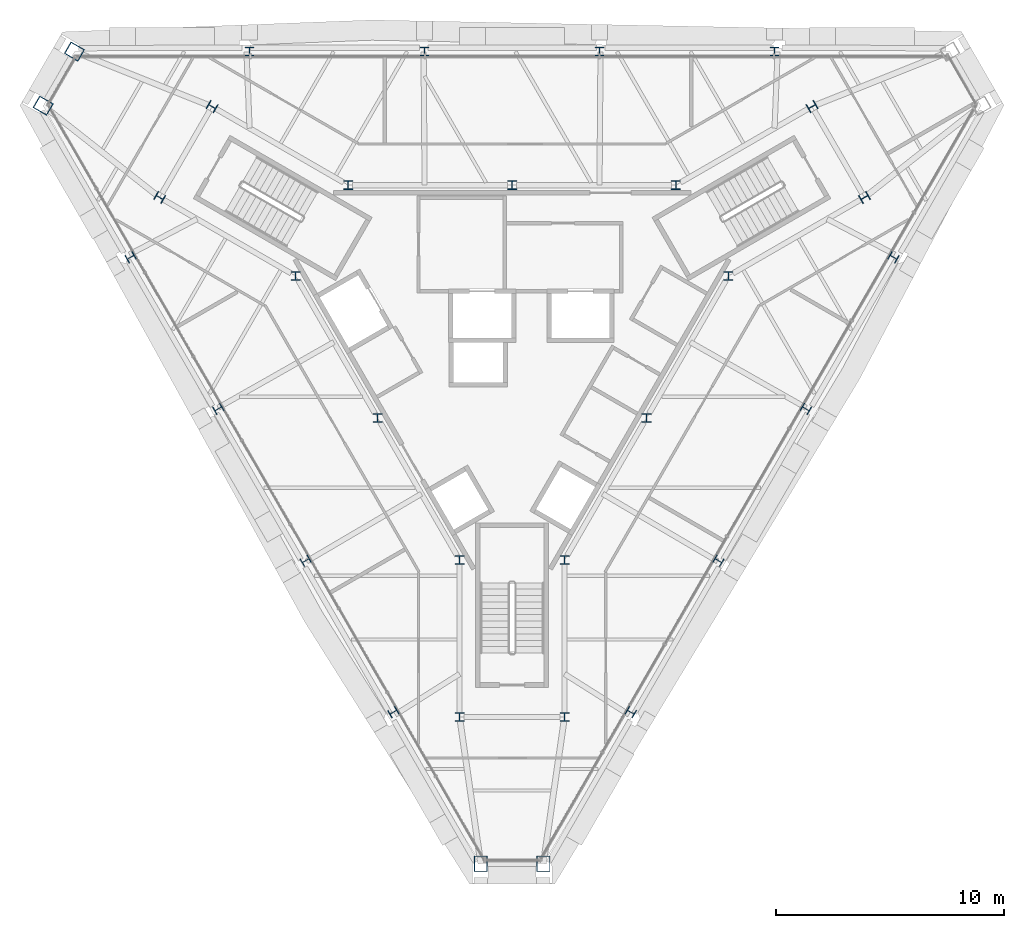
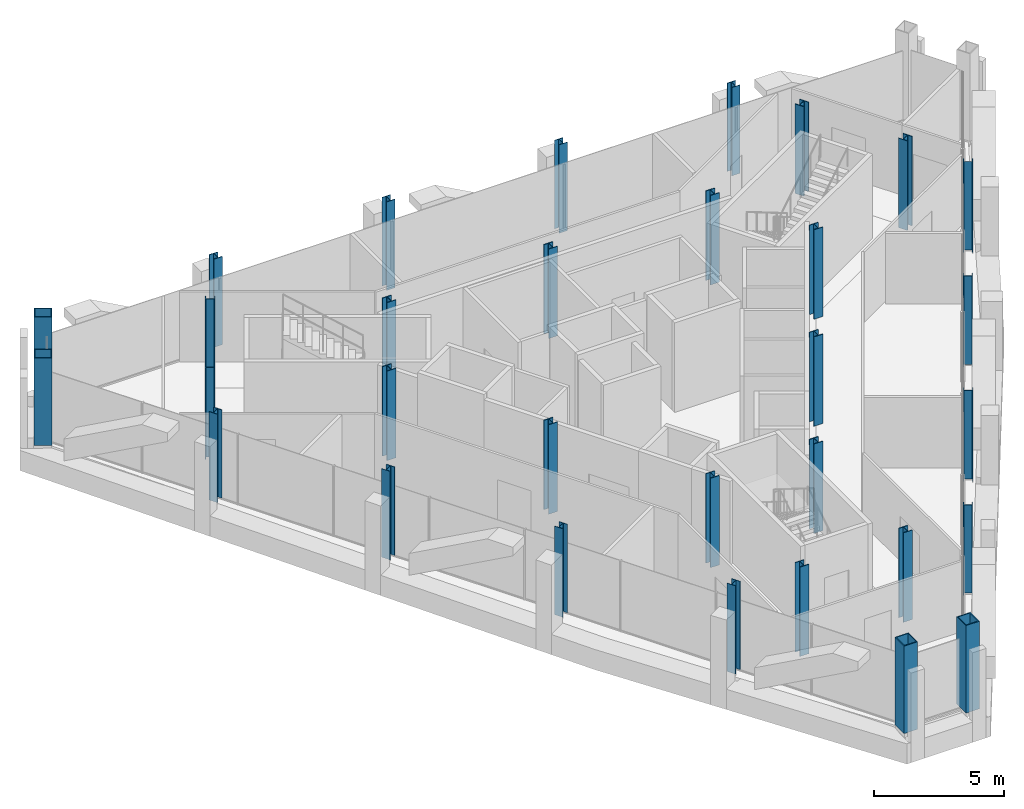
# One storey, part 1 of 13: 31 columns.
"""IFC4 building model written with IfcOpenShell, lengths in metres."""

from ifc_helpers import new_model, si_unit, direction, frame, origin, origin_2d, place, context, subcontext, project, spatial, hollow_rectangle, i_section, extrude, material, material_profile, profile_set, type_object, element, save


model = new_model("IFC4")

# Units and contexts
model_context = context("Model", 3, precision=1e-05, world=origin(), true_north=direction((0.0, 1.0)))
body_context = subcontext(model_context, "Body", "Model", "MODEL_VIEW")
ifc_project = project(units=[si_unit("LENGTHUNIT", "METRE"), si_unit("AREAUNIT", "SQUARE_METRE"), si_unit("VOLUMEUNIT", "CUBIC_METRE"), si_unit("PLANEANGLEUNIT", "RADIAN"), si_unit("MASSUNIT", "GRAM", prefix="KILO")], contexts=[model_context])

# Site, building, storey
site_placement = place(None, origin())
site = spatial("IfcSite", under=ifc_project, at=site_placement, CompositionType="ELEMENT")
building_placement = place(site_placement, origin())
building = spatial("IfcBuilding", under=site, at=building_placement, Name="Verrane Prism Tower", CompositionType="ELEMENT")
storey_placement = place(building_placement, frame((0.0, 0.0, 308.39990234375)))
storey = spatial("IfcBuildingStorey", under=building, at=storey_placement, Name="L78", CompositionType="ELEMENT", Elevation=308.39990234375)

# Columns
ifc_material_1 = material(Name="Steel A992", Category="steel")
ifc_material_profile_1 = material_profile(ifc_material_1, i_section(OverallWidth=0.398681640625, OverallDepth=0.385986328125, WebThickness=0.02099609375, FlangeThickness=0.033203125, FilletRadius=0.01513671875, at=origin_2d()), Name="W14x176")
ifc_profile_set_1 = profile_set([ifc_material_profile_1], Name="Steel A992")
column_type_1 = type_object("IfcColumnType", Name="Core corner column W14x176", PredefinedType="COLUMN", material=ifc_profile_set_1)
for number, where, z_axis, x_axis, name in (
    (1, (15.43994140625, 6.260009765625, 0.0), (0.0, 0.0, 1.0), (0.5, -0.866025403784, 0.0), "Core corner column CK-NEm L78"),
    (2, (13.139892578125, 10.239990234375, 0.0), (0.0, 0.0, 1.0), (0.5, -0.866025403784, 0.0), "Core corner column CK-NEp L78"),
    (3, (-13.139892578125, 10.239990234375, 0.0), (0.0, 0.0, 1.0), (0.5, 0.866025403784, 0.0), "Core corner column CK-NWm L78"),
    (4, (-15.43994140625, 6.260009765625, 0.0), (0.0, 0.0, 1.0), (0.5, 0.866025403784, 0.0), "Core corner column CK-NWp L78"),
    (5, (-2.300048828125, -16.5, 0.0), (0.0, 0.0, 1.0), (-1.0, 0.0, 0.0), "Core corner column CK-Sm L78"),
    (6, (2.300048828125, -16.5, 0.0), (0.0, 0.0, 1.0), (-1.0, 0.0, 0.0), "Core corner column CK-Sp L78"),
):
    element("IfcColumn", number, at=place(storey_placement, frame(where, z_axis=z_axis, x_axis=x_axis)), inside=storey, type_object=column_type_1, Name=name, PredefinedType="COLUMN", context=body_context, shape_type="SweptSolid", body=[
        extrude(i_section(OverallWidth=0.398681640625, OverallDepth=0.385986328125, WebThickness=0.02099609375, FlangeThickness=0.033203125, FilletRadius=0.01513671875, at=origin_2d()), origin(), (0.0, 0.0, 1.0), 4.2001953125),
    ])
ifc_material_2 = material(Name="Steel A992", Category="steel")
ifc_material_profile_2 = material_profile(ifc_material_2, i_section(OverallWidth=0.398681640625, OverallDepth=0.385986328125, WebThickness=0.02099609375, FlangeThickness=0.033203125, FilletRadius=0.01513671875, at=origin_2d()), Name="W14x176")
ifc_profile_set_2 = profile_set([ifc_material_profile_2], Name="Steel A992")
column_type_2 = type_object("IfcColumnType", Name="Core side column W14x176", PredefinedType="COLUMN", material=ifc_profile_set_2)
for number, where, z_axis, x_axis, name in (
    (7, (9.47998046875, 2.820068359375, 0.0), (0.0, 0.0, 1.0), (1.0, 0.0, 0.0), "Core side column CC-NEm L78"),
    (8, (7.179931640625, 6.800048828125, 0.0), (0.0, 0.0, 1.0), (1.0, 0.0, 0.0), "Core side column CC-NEp L78"),
    (9, (0.0, 6.800048828125, 0.0), (0.0, 0.0, 1.0), (1.0, 0.0, 0.0), "Core side column CC-N0 L78"),
    (10, (-7.179931640625, 6.800048828125, 0.0), (0.0, 0.0, 1.0), (1.0, 0.0, 0.0), "Core side column CC-NWm L78"),
    (11, (-9.47998046875, 2.820068359375, 0.0), (0.0, 0.0, 1.0), (1.0, 0.0, 0.0), "Core side column CC-NWp L78"),
    (12, (-5.889892578125, -3.39990234375, 0.0), (0.0, 0.0, 1.0), (1.0, 0.0, 0.0), "Core side column CC-SW0 L78"),
    (13, (-2.300048828125, -9.6201171875, 0.0), (0.0, 0.0, 1.0), (1.0, 0.0, 0.0), "Core side column CC-Sm L78"),
    (14, (2.300048828125, -9.6201171875, 0.0), (0.0, 0.0, 1.0), (1.0, 0.0, 0.0), "Core side column CC-Sp L78"),
    (15, (5.889892578125, -3.39990234375, 0.0), (0.0, 0.0, 1.0), (1.0, 0.0, 0.0), "Core side column CC-SE0 L78"),
):
    element("IfcColumn", number, at=place(storey_placement, frame(where, z_axis=z_axis, x_axis=x_axis)), inside=storey, type_object=column_type_2, Name=name, PredefinedType="COLUMN", context=body_context, shape_type="SweptSolid", body=[
        extrude(i_section(OverallWidth=0.398681640625, OverallDepth=0.385986328125, WebThickness=0.02099609375, FlangeThickness=0.033203125, FilletRadius=0.01513671875, at=origin_2d()), origin(), (0.0, 0.0, 1.0), 4.2001953125),
    ])
ifc_material_3 = material(Name="Steel A572 Grade 50", Category="steel")
ifc_material_profile_3 = material_profile(ifc_material_3, hollow_rectangle(XDim=0.60009765625, YDim=0.699951171875, WallThickness=0.0400390625, at=origin_2d()), Name="BOX 700x600x40")
ifc_profile_set_3 = profile_set([ifc_material_profile_3], Name="Steel A572 Grade 50")
column_type_3 = type_object("IfcColumnType", Name="Megacolumn BOX 700x600x40", PredefinedType="COLUMN", material=ifc_profile_set_3)
for number, where, z_axis, x_axis, name in (
    (16, (-19.169921875, 12.64990234375, 0.090087890625), (0.0, 0.0, 1.0), (0.5, 0.866025403784, 0.0), "Megacolumn MC-NW.a L78"),
    (17, (-20.5400390625, 10.280029296875, 0.090087890625), (0.0, 0.0, 1.0), (0.5, 0.866025403784, 0.0), "Megacolumn MC-NW.b L78"),
    (18, (-1.3701171875, -22.929931640625, 0.090087890625), (0.0, 0.0, 1.0), (-1.0, 0.0, 0.0), "Megacolumn MC-S.a L78"),
    (19, (1.3701171875, -22.929931640625, 0.090087890625), (0.0, 0.0, 1.0), (-1.0, 0.0, 0.0), "Megacolumn MC-S.b L78"),
):
    element("IfcColumn", number, at=place(storey_placement, frame(where, z_axis=z_axis, x_axis=x_axis)), inside=storey, type_object=column_type_3, Name=name, PredefinedType="COLUMN", context=body_context, shape_type="SweptSolid", body=[
        extrude(hollow_rectangle(XDim=0.60009765625, YDim=0.699951171875, WallThickness=0.0400390625, at=origin_2d()), origin(), (0.0, 0.0, 1.0), 4.110107421875),
    ])
ifc_material_4 = material(Name="Steel A992", Category="steel")
ifc_material_profile_4 = material_profile(ifc_material_4, i_section(OverallWidth=0.373291015625, OverallDepth=0.368408203125, WebThickness=0.014892578125, FlangeThickness=0.02392578125, FilletRadius=0.01513671875, at=origin_2d()), Name="W14x120")
ifc_profile_set_4 = profile_set([ifc_material_profile_4], Name="Steel A992")
column_type_4 = type_object("IfcColumnType", Name="Perimeter column W14x120", PredefinedType="COLUMN", material=ifc_profile_set_4)
column_1_placement = place(storey_placement, frame((11.5, 12.64990234375, 0.05517578125), z_axis=(0.0, 0.0, 1.0), x_axis=(1.0, 0.0, 0.0)))
element("IfcColumn", 20, at=column_1_placement, inside=storey, type_object=column_type_4, Name="Perimeter column PC-N1 L78", PredefinedType="COLUMN", context=body_context, shape_type="SweptSolid", body=[
    extrude(i_section(OverallWidth=0.373291015625, OverallDepth=0.368408203125, WebThickness=0.014892578125, FlangeThickness=0.02392578125, FilletRadius=0.01513671875, at=origin_2d()), origin(), (0.0, 0.0, 1.0), 4.14501953125),
])
for number, where, z_axis, x_axis, name in (
    (21, (3.830078125, 12.64990234375, 0.045166015625), (0.0, 0.0, 1.0), (1.0, 0.0, 0.0), "Perimeter column PC-N2 L78"),
    (22, (-3.830078125, 12.64990234375, 0.045166015625), (0.0, 0.0, 1.0), (1.0, 0.0, 0.0), "Perimeter column PC-N3 L78"),
):
    element("IfcColumn", number, at=place(storey_placement, frame(where, z_axis=z_axis, x_axis=x_axis)), inside=storey, type_object=column_type_4, Name=name, PredefinedType="COLUMN", context=body_context, shape_type="SweptSolid", body=[
        extrude(i_section(OverallWidth=0.373291015625, OverallDepth=0.368408203125, WebThickness=0.014892578125, FlangeThickness=0.02392578125, FilletRadius=0.01513671875, at=origin_2d()), origin(), (0.0, 0.0, 1.0), 4.155029296875),
    ])
for number, where, z_axis, x_axis, name in (
    (23, (-11.5, 12.64990234375, 0.05517578125), (0.0, 0.0, 1.0), (1.0, 0.0, 0.0), "Perimeter column PC-N4 L78"),
    (24, (-16.7099609375, 3.639892578125, 0.05517578125), (0.0, 0.0, 1.0), (-0.5, 0.866025403784, 0.0), "Perimeter column PC-SW1 L78"),
):
    element("IfcColumn", number, at=place(storey_placement, frame(where, z_axis=z_axis, x_axis=x_axis)), inside=storey, type_object=column_type_4, Name=name, PredefinedType="COLUMN", context=body_context, shape_type="SweptSolid", body=[
        extrude(i_section(OverallWidth=0.373291015625, OverallDepth=0.368408203125, WebThickness=0.014892578125, FlangeThickness=0.02392578125, FilletRadius=0.01513671875, at=origin_2d()), origin(), (0.0, 0.0, 1.0), 4.14501953125),
    ])
for number, where, z_axis, x_axis, name in (
    (25, (-12.8701171875, -3.0, 0.045166015625), (0.0, 0.0, 1.0), (-0.5, 0.866025403784, 0.0), "Perimeter column PC-SW2 L78"),
    (26, (-9.0400390625, -9.64990234375, 0.045166015625), (0.0, 0.0, 1.0), (-0.5, 0.866025403784, 0.0), "Perimeter column PC-SW3 L78"),
):
    element("IfcColumn", number, at=place(storey_placement, frame(where, z_axis=z_axis, x_axis=x_axis)), inside=storey, type_object=column_type_4, Name=name, PredefinedType="COLUMN", context=body_context, shape_type="SweptSolid", body=[
        extrude(i_section(OverallWidth=0.373291015625, OverallDepth=0.368408203125, WebThickness=0.014892578125, FlangeThickness=0.02392578125, FilletRadius=0.01513671875, at=origin_2d()), origin(), (0.0, 0.0, 1.0), 4.155029296875),
    ])
for number, where, z_axis, x_axis, name in (
    (27, (-5.199951171875, -16.2900390625, 0.05517578125), (0.0, 0.0, 1.0), (-0.5, 0.866025403784, 0.0), "Perimeter column PC-SW4 L78"),
    (28, (5.199951171875, -16.2900390625, 0.05517578125), (0.0, 0.0, 1.0), (-0.5, -0.866025403784, 0.0), "Perimeter column PC-SE1 L78"),
):
    element("IfcColumn", number, at=place(storey_placement, frame(where, z_axis=z_axis, x_axis=x_axis)), inside=storey, type_object=column_type_4, Name=name, PredefinedType="COLUMN", context=body_context, shape_type="SweptSolid", body=[
        extrude(i_section(OverallWidth=0.373291015625, OverallDepth=0.368408203125, WebThickness=0.014892578125, FlangeThickness=0.02392578125, FilletRadius=0.01513671875, at=origin_2d()), origin(), (0.0, 0.0, 1.0), 4.14501953125),
    ])
for number, where, z_axis, x_axis, name in (
    (29, (9.0400390625, -9.64990234375, 0.045166015625), (0.0, 0.0, 1.0), (-0.5, -0.866025403784, 0.0), "Perimeter column PC-SE2 L78"),
    (30, (12.8701171875, -3.0, 0.045166015625), (0.0, 0.0, 1.0), (-0.5, -0.866025403784, 0.0), "Perimeter column PC-SE3 L78"),
):
    element("IfcColumn", number, at=place(storey_placement, frame(where, z_axis=z_axis, x_axis=x_axis)), inside=storey, type_object=column_type_4, Name=name, PredefinedType="COLUMN", context=body_context, shape_type="SweptSolid", body=[
        extrude(i_section(OverallWidth=0.373291015625, OverallDepth=0.368408203125, WebThickness=0.014892578125, FlangeThickness=0.02392578125, FilletRadius=0.01513671875, at=origin_2d()), origin(), (0.0, 0.0, 1.0), 4.155029296875),
    ])
column_2_placement = place(storey_placement, frame((16.7099609375, 3.639892578125, 0.05517578125), z_axis=(0.0, 0.0, 1.0), x_axis=(-0.5, -0.866025403784, 0.0)))
element("IfcColumn", 31, at=column_2_placement, inside=storey, type_object=column_type_4, Name="Perimeter column PC-SE4 L78", PredefinedType="COLUMN", context=body_context, shape_type="SweptSolid", body=[
    extrude(i_section(OverallWidth=0.373291015625, OverallDepth=0.368408203125, WebThickness=0.014892578125, FlangeThickness=0.02392578125, FilletRadius=0.01513671875, at=origin_2d()), origin(), (0.0, 0.0, 1.0), 4.14501953125),
])

save(model, "model.ifc")
